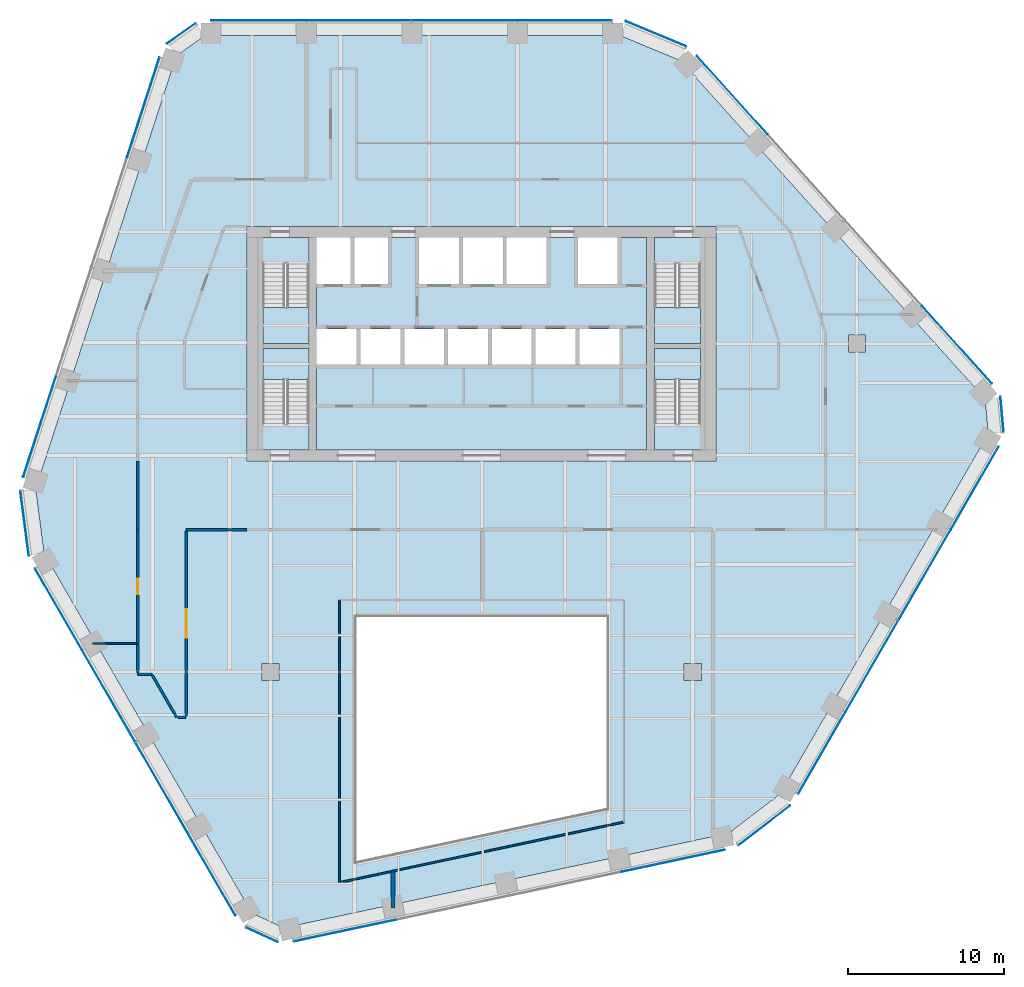
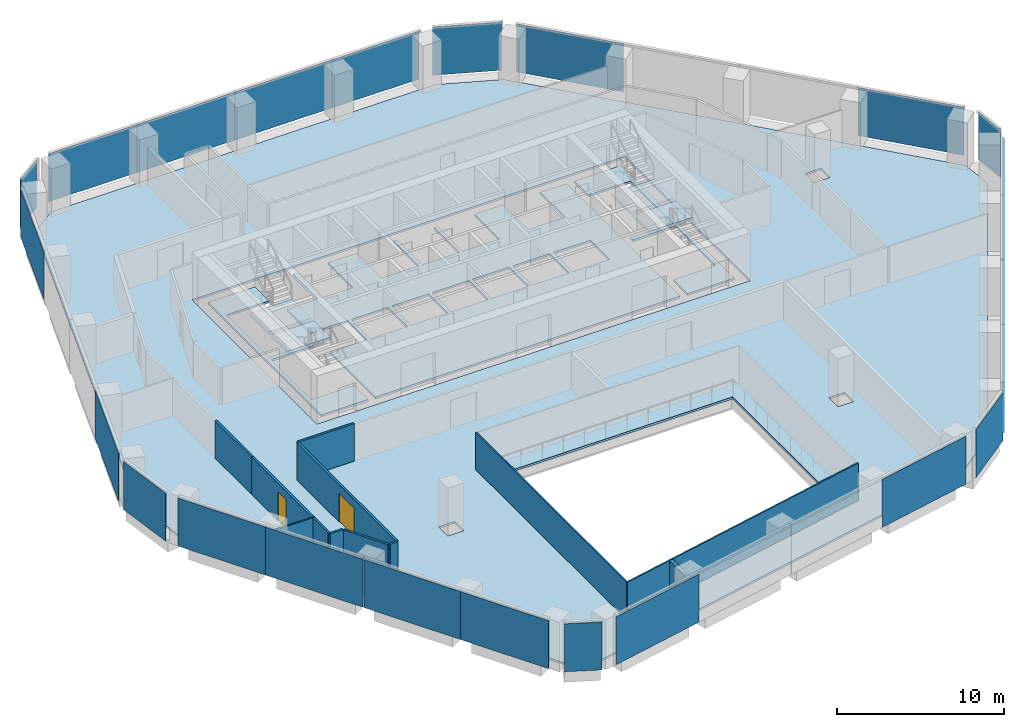
# One storey, part 10 of 16: 24 plates, 12 walls, 8 slabs, 2 doors, 2 openings, 16 elements without a shape of their own.
"""IFC4 building model written with IfcOpenShell, lengths in metres."""

from ifc_helpers import new_model, si_unit, direction, frame, frame_2d, origin, origin_2d, place, context, subcontext, project, spatial, polyline, rectangle, outline, extrude, material, layer, layer_set, type_object, element, fill, aggregate, save


model = new_model("IFC4")

# Units and contexts
model_context = context("Model", 3, precision=1e-05, world=origin(), true_north=direction((0.0, 1.0)))
body_context = subcontext(model_context, "Body", "Model", "MODEL_VIEW")
ifc_project = project(units=[si_unit("LENGTHUNIT", "METRE"), si_unit("AREAUNIT", "SQUARE_METRE"), si_unit("VOLUMEUNIT", "CUBIC_METRE"), si_unit("PLANEANGLEUNIT", "RADIAN"), si_unit("MASSUNIT", "GRAM", prefix="KILO")], contexts=[model_context])

# Site, building, storey
site_placement = place(None, origin())
site = spatial("IfcSite", under=ifc_project, at=site_placement, CompositionType="ELEMENT")
building_placement = place(site_placement, origin())
building = spatial("IfcBuilding", under=site, at=building_placement, Name="Isthmus Gate Tower", CompositionType="ELEMENT")
storey_placement = place(building_placement, frame((0.0, 0.0, 185.39990234375)))
storey = spatial("IfcBuildingStorey", under=building, at=storey_placement, Name="L46", CompositionType="ELEMENT", Elevation=185.39990234375)

# Slabs
ifc_material_1 = material(Name="Concrete f'c 40 MPa", Category="concrete")
ifc_layer_1 = layer(ifc_material_1, 0.14990234375)
ifc_layer_set_1 = layer_set([ifc_layer_1], Name="COMPOSITE FLOOR SLAB 150")
slab_type_1 = type_object("IfcSlabType", Name="COMPOSITE FLOOR SLAB 150", PredefinedType="FLOOR", material=ifc_layer_set_1)
slab_1_placement = place(storey_placement, frame((0.0, 0.0, -0.14990234375)))
element("IfcSlab", 1, at=slab_1_placement, inside=storey, type_object=slab_type_1, Name="str-slab-L46-1", PredefinedType="FLOOR", context=body_context, shape_type="SweptSolid", body=[
    extrude(outline(polyline([(12.72802734375, 25.599365234375), (32.21044921875, 3.9619140625), (32.410400390625, 1.736083984375), (19.116455078125, -21.289306640625), (15.8056640625, -23.822509765625), (-12.674072265625, -29.876220703125), (-14.701416015625, -28.936279296875), (-27.995361328125, -5.91064453125), (-28.53369140625, -1.77685546875), (-19.536376953125, 25.9140625), (-17.708740234375, 27.199951171875), (8.87890625, 27.199951171875), (12.72802734375, 25.599365234375)]), holes=[polyline([(-8.0, -10.0), (-8.0, -25.611083984375), (8.0, -22.210205078125), (8.0, -10.0), (-8.0, -10.0)]), polyline([(-14.050048828125, -12.949951171875), (-14.050048828125, -14.050048828125), (-12.949951171875, -14.050048828125), (-12.949951171875, -12.949951171875), (-14.050048828125, -12.949951171875)]), polyline([(14.050048828125, -12.949951171875), (12.949951171875, -12.949951171875), (12.949951171875, -14.050048828125), (14.050048828125, -14.050048828125), (14.050048828125, -12.949951171875)]), polyline([(-15.0, 15.0), (-15.0, 0.0), (15.0, 0.0), (15.0, 15.0), (-15.0, 15.0)]), polyline([(24.550048828125, 6.949951171875), (24.550048828125, 8.050048828125), (23.449951171875, 8.050048828125), (23.449951171875, 6.949951171875), (24.550048828125, 6.949951171875)])]), origin(), (0.0, 0.0, 1.0), 0.14990234375),
])
ifc_material_2 = material(Name="Concrete f'c 40 MPa", Category="concrete")
ifc_layer_2 = layer(ifc_material_2, 0.14990234375)
ifc_layer_set_2 = layer_set([ifc_layer_2], Name="CORE FLOOR SLAB 150")
slab_type_2 = type_object("IfcSlabType", Name="CORE FLOOR SLAB 150", PredefinedType="FLOOR", material=ifc_layer_set_2)
slab_2_placement = place(storey_placement, frame((0.0, 0.0, -0.14990234375)))
element("IfcSlab", 2, at=slab_2_placement, inside=storey, type_object=slab_type_2, Name="L46 core floor", PredefinedType="FLOOR", context=body_context, shape_type="SweptSolid", body=[
    extrude(outline(polyline([(-11.050048828125, 0.699951171875), (-11.050048828125, 2.402099609375), (-14.0, 2.402099609375), (-14.0, 7.199951171875), (-11.050048828125, 7.199951171875), (-11.050048828125, 7.5), (-14.0, 7.5), (-14.0, 12.597900390625), (-11.050048828125, 12.597900390625), (-11.050048828125, 14.300048828125), (-14.300048828125, 14.300048828125), (-14.300048828125, 0.699951171875), (-11.050048828125, 0.699951171875)])), origin(), (0.0, 0.0, 1.0), 0.14990234375),
])
slab_3_placement = place(storey_placement, frame((0.0, 0.0, -0.14990234375)))
element("IfcSlab", 3, at=slab_3_placement, inside=storey, type_object=slab_type_2, Name="L46 core floor", PredefinedType="FLOOR", context=body_context, shape_type="SweptSolid", body=[
    extrude(outline(polyline([(10.550048828125, 14.300048828125), (8.699951171875, 14.300048828125), (8.699951171875, 11.300048828125), (6.14990234375, 11.300048828125), (6.14990234375, 14.300048828125), (4.14990234375, 14.300048828125), (4.14990234375, 11.300048828125), (1.60009765625, 11.300048828125), (1.60009765625, 14.300048828125), (1.35009765625, 14.300048828125), (1.35009765625, 11.300048828125), (-1.199951171875, 11.300048828125), (-1.199951171875, 14.300048828125), (-1.449951171875, 14.300048828125), (-1.449951171875, 11.300048828125), (-4.0, 11.300048828125), (-4.0, 14.300048828125), (-6.0, 14.300048828125), (-6.0, 11.300048828125), (-8.14990234375, 11.300048828125), (-8.14990234375, 14.300048828125), (-8.39990234375, 14.300048828125), (-8.39990234375, 11.300048828125), (-10.550048828125, 11.300048828125), (-10.550048828125, 8.449951171875), (-8.0, 8.449951171875), (-8.0, 6.14990234375), (-10.550048828125, 6.14990234375), (-10.550048828125, 0.699951171875), (10.550048828125, 0.699951171875), (10.550048828125, 14.300048828125)]), holes=[polyline([(-5.199951171875, 8.449951171875), (-5.199951171875, 6.14990234375), (-7.75, 6.14990234375), (-7.75, 8.449951171875), (-5.199951171875, 8.449951171875)]), polyline([(-2.39990234375, 8.449951171875), (-2.39990234375, 6.14990234375), (-4.949951171875, 6.14990234375), (-4.949951171875, 8.449951171875), (-2.39990234375, 8.449951171875)]), polyline([(0.39990234375, 8.449951171875), (0.39990234375, 6.14990234375), (-2.14990234375, 6.14990234375), (-2.14990234375, 8.449951171875), (0.39990234375, 8.449951171875)]), polyline([(3.199951171875, 8.449951171875), (3.199951171875, 6.14990234375), (0.64990234375, 6.14990234375), (0.64990234375, 8.449951171875), (3.199951171875, 8.449951171875)]), polyline([(6.0, 8.449951171875), (6.0, 6.14990234375), (3.449951171875, 6.14990234375), (3.449951171875, 8.449951171875), (6.0, 8.449951171875)]), polyline([(8.800048828125, 8.449951171875), (8.800048828125, 6.14990234375), (6.25, 6.14990234375), (6.25, 8.449951171875), (8.800048828125, 8.449951171875)])]), origin(), (0.0, 0.0, 1.0), 0.14990234375),
])
slab_4_placement = place(storey_placement, frame((0.0, 0.0, -0.14990234375)))
element("IfcSlab", 4, at=slab_4_placement, inside=storey, type_object=slab_type_2, Name="L46 core floor", PredefinedType="FLOOR", context=body_context, shape_type="SweptSolid", body=[
    extrude(outline(polyline([(11.050048828125, 14.300048828125), (11.050048828125, 12.597900390625), (14.0, 12.597900390625), (14.0, 7.5), (11.050048828125, 7.5), (11.050048828125, 7.199951171875), (14.0, 7.199951171875), (14.0, 2.402099609375), (11.050048828125, 2.402099609375), (11.050048828125, 0.699951171875), (14.300048828125, 0.699951171875), (14.300048828125, 14.300048828125), (11.050048828125, 14.300048828125)])), origin(), (0.0, 0.0, 1.0), 0.14990234375),
])

# Curtain wall, plates
ifc_material_3 = material(Name="Aluminium, pale champagne anodised", Category="aluminium")
ifc_layer_3 = layer(ifc_material_3, 0.199951171875)
ifc_layer_set_3 = layer_set([ifc_layer_3], Name="CW-1 UNITISED CURTAIN WALL 200 DEEP")
curtain_wall_type = type_object("IfcCurtainWallType", Name="CW-1 UNITISED CURTAIN WALL 200 DEEP", PredefinedType="NOTDEFINED", material=ifc_layer_set_3)
curtain_wall_1_placement = place(storey_placement, origin())
curtain_wall_1 = element("IfcCurtainWall", 5, at=curtain_wall_1_placement, inside=storey, type_object=curtain_wall_type, Name="CW-1 N L46", PredefinedType="NOTDEFINED")
ifc_material_4 = material(Name="Laminated low-iron glass, pale blue tint", Category="glass")
ifc_layer_4 = layer(ifc_material_4, 0.035888671875)
ifc_layer_set_4 = layer_set([ifc_layer_4], Name="CW-1 CLEAR GLASS LITE 36")
plate_type = type_object("IfcPlateType", Name="CW-1 CLEAR GLASS LITE 36", PredefinedType="CURTAIN_PANEL", material=ifc_layer_set_4)
plate_1_placement = place(storey_placement, frame((5.30859375, 28.181884765625, 0.0), z_axis=(0.0, 0.0, 1.0), x_axis=(-1.0, 0.0, 0.0)))
plate_1 = element("IfcPlate", 6, at=plate_1_placement, type_object=plate_type, Name="CW-1 glass lite", PredefinedType="CURTAIN_PANEL", context=body_context, shape_type="SweptSolid", body=[
    extrude(rectangle(XDim=6.0400390625, YDim=0.035888671875, at=origin_2d()), origin(), (0.0, 0.0, 1.0), 3.510009765625),
])
plate_2_placement = place(storey_placement, frame((-1.086669921875, 28.181884765625, 0.0), z_axis=(0.0, 0.0, 1.0), x_axis=(-1.0, 0.0, 0.0)))
plate_2 = element("IfcPlate", 7, at=plate_2_placement, type_object=plate_type, Name="CW-1 glass lite", PredefinedType="CURTAIN_PANEL", context=body_context, shape_type="SweptSolid", body=[
    extrude(rectangle(XDim=6.750244140625, YDim=0.035888671875, at=origin_2d()), origin(), (0.0, 0.0, 1.0), 3.510009765625),
])
plate_3_placement = place(storey_placement, frame((-7.86669921875, 28.181884765625, 0.0), z_axis=(0.0, 0.0, 1.0), x_axis=(-1.0, 0.0, 0.0)))
plate_3 = element("IfcPlate", 8, at=plate_3_placement, type_object=plate_type, Name="CW-1 glass lite", PredefinedType="CURTAIN_PANEL", context=body_context, shape_type="SweptSolid", body=[
    extrude(rectangle(XDim=6.690185546875, YDim=0.035888671875, at=origin_2d()), origin(), (0.0, 0.0, 1.0), 3.510009765625),
])
plate_4_placement = place(storey_placement, frame((-14.261962890625, 28.181884765625, 0.0), z_axis=(0.0, 0.0, 1.0), x_axis=(-1.0, 0.0, 0.0)))
plate_4 = element("IfcPlate", 9, at=plate_4_placement, type_object=plate_type, Name="CW-1 glass lite", PredefinedType="CURTAIN_PANEL", context=body_context, shape_type="SweptSolid", body=[
    extrude(rectangle(XDim=6.10009765625, YDim=0.035888671875, at=origin_2d()), origin(), (0.0, 0.0, 1.0), 3.510009765625),
])
aggregate(curtain_wall_1, [plate_1, plate_2, plate_3, plate_4])

# Curtain wall, plate
curtain_wall_2_placement = place(storey_placement, origin())
curtain_wall_2 = element("IfcCurtainWall", 10, at=curtain_wall_2_placement, inside=storey, type_object=curtain_wall_type, Name="CW-1 N-NW L46", PredefinedType="NOTDEFINED")
plate_5_placement = place(storey_placement, frame((-19.2119140625, 27.343017578125, 0.0), z_axis=(0.0, 0.0, 1.0), x_axis=(-0.81785959165, -0.57541783805, 0.0)))
plate_5 = element("IfcPlate", 11, at=plate_5_placement, type_object=plate_type, Name="CW-1 glass lite", PredefinedType="CURTAIN_PANEL", context=body_context, shape_type="SweptSolid", body=[
    extrude(rectangle(XDim=2.258544921875, YDim=0.035888671875, at=origin_2d()), origin(), (0.0, 0.0, 1.0), 3.510009765625),
])
aggregate(curtain_wall_2, [plate_5])

# Curtain wall, plates
curtain_wall_3_placement = place(storey_placement, origin())
curtain_wall_3 = element("IfcCurtainWall", 12, at=curtain_wall_3_placement, inside=storey, type_object=curtain_wall_type, Name="CW-1 NW L46", PredefinedType="NOTDEFINED")
plate_6_placement = place(storey_placement, frame((-21.6396484375, 22.619140625, 0.0), z_axis=(0.0, 0.0, 1.0), x_axis=(-0.309016994375, -0.951056516295, 0.0)))
plate_6 = element("IfcPlate", 13, at=plate_6_placement, type_object=plate_type, Name="CW-1 glass lite", PredefinedType="CURTAIN_PANEL", context=body_context, shape_type="SweptSolid", body=[
    extrude(rectangle(XDim=6.680908203125, YDim=0.035888671875, at=origin_2d()), origin(), (0.0, 0.0, 1.0), 3.510009765625),
])
plate_7_placement = place(storey_placement, frame((-28.281005859375, 2.178466796875, 0.0), z_axis=(0.0, 0.0, 1.0), x_axis=(-0.309016994375, -0.951056516295, 0.0)))
plate_7 = element("IfcPlate", 14, at=plate_7_placement, type_object=plate_type, Name="CW-1 glass lite", PredefinedType="CURTAIN_PANEL", context=body_context, shape_type="SweptSolid", body=[
    extrude(rectangle(XDim=6.74072265625, YDim=0.035888671875, at=origin_2d()), origin(), (0.0, 0.0, 1.0), 3.510009765625),
])
aggregate(curtain_wall_3, [plate_6, plate_7])

# Curtain wall, plate
curtain_wall_4_placement = place(storey_placement, origin())
curtain_wall_4 = element("IfcCurtainWall", 15, at=curtain_wall_4_placement, inside=storey, type_object=curtain_wall_type, Name="CW-1 NW-SW L46", PredefinedType="NOTDEFINED")
plate_8_placement = place(storey_placement, frame((-29.234619140625, -3.9990234375, 0.0), z_axis=(0.0, 0.0, 1.0), x_axis=(0.129164534, -0.991623175988, 0.0)))
plate_8 = element("IfcPlate", 16, at=plate_8_placement, type_object=plate_type, Name="CW-1 glass lite", PredefinedType="CURTAIN_PANEL", context=body_context, shape_type="SweptSolid", body=[
    extrude(rectangle(XDim=4.181396484375, YDim=0.035888671875, at=origin_2d()), origin(), (0.0, 0.0, 1.0), 3.510009765625),
])
aggregate(curtain_wall_4, [plate_8])

# Curtain wall, plates
curtain_wall_5_placement = place(storey_placement, origin())
curtain_wall_5 = element("IfcCurtainWall", 17, at=curtain_wall_5_placement, inside=storey, type_object=curtain_wall_type, Name="CW-1 SW L46", PredefinedType="NOTDEFINED")
plate_9_placement = place(storey_placement, frame((-27.060546875, -9.49365234375, 0.0), z_axis=(0.0, 0.0, 1.0), x_axis=(0.5, -0.866025403784, 0.0)))
plate_9 = element("IfcPlate", 18, at=plate_9_placement, type_object=plate_type, Name="CW-1 glass lite", PredefinedType="CURTAIN_PANEL", context=body_context, shape_type="SweptSolid", body=[
    extrude(rectangle(XDim=6.0400390625, YDim=0.035888671875, at=origin_2d()), origin(), (0.0, 0.0, 1.0), 3.510009765625),
])
plate_10_placement = place(storey_placement, frame((-23.863037109375, -15.031982421875, 0.0), z_axis=(0.0, 0.0, 1.0), x_axis=(0.5, -0.866025403784, 0.0)))
plate_10 = element("IfcPlate", 19, at=plate_10_placement, type_object=plate_type, Name="CW-1 glass lite", PredefinedType="CURTAIN_PANEL", context=body_context, shape_type="SweptSolid", body=[
    extrude(rectangle(XDim=6.750244140625, YDim=0.035888671875, at=origin_2d()), origin(), (0.0, 0.0, 1.0), 3.510009765625),
])
plate_11_placement = place(storey_placement, frame((-20.472900390625, -20.90380859375, 0.0), z_axis=(0.0, 0.0, 1.0), x_axis=(0.5, -0.866025403784, 0.0)))
plate_11 = element("IfcPlate", 20, at=plate_11_placement, type_object=plate_type, Name="CW-1 glass lite", PredefinedType="CURTAIN_PANEL", context=body_context, shape_type="SweptSolid", body=[
    extrude(rectangle(XDim=6.690185546875, YDim=0.035888671875, at=origin_2d()), origin(), (0.0, 0.0, 1.0), 3.510009765625),
])
plate_12_placement = place(storey_placement, frame((-17.275390625, -26.442138671875, 0.0), z_axis=(0.0, 0.0, 1.0), x_axis=(0.5, -0.866025403784, 0.0)))
plate_12 = element("IfcPlate", 21, at=plate_12_placement, type_object=plate_type, Name="CW-1 glass lite", PredefinedType="CURTAIN_PANEL", context=body_context, shape_type="SweptSolid", body=[
    extrude(rectangle(XDim=6.10009765625, YDim=0.035888671875, at=origin_2d()), origin(), (0.0, 0.0, 1.0), 3.510009765625),
])
aggregate(curtain_wall_5, [plate_9, plate_10, plate_11, plate_12])

# Curtain wall, plate
curtain_wall_6_placement = place(storey_placement, origin())
curtain_wall_6 = element("IfcCurtainWall", 22, at=curtain_wall_6_placement, inside=storey, type_object=curtain_wall_type, Name="CW-1 SW-S L46", PredefinedType="NOTDEFINED")
plate_13_placement = place(storey_placement, frame((-14.07373046875, -30.3095703125, 0.0), z_axis=(0.0, 0.0, 1.0), x_axis=(0.907256261367, -0.420578264073, 0.0)))
plate_13 = element("IfcPlate", 23, at=plate_13_placement, type_object=plate_type, Name="CW-1 glass lite", PredefinedType="CURTAIN_PANEL", context=body_context, shape_type="SweptSolid", body=[
    extrude(rectangle(XDim=2.258544921875, YDim=0.035888671875, at=origin_2d()), origin(), (0.0, 0.0, 1.0), 3.510009765625),
])
aggregate(curtain_wall_6, [plate_13])

# Curtain wall, plates
curtain_wall_7_placement = place(storey_placement, origin())
curtain_wall_7 = element("IfcCurtainWall", 24, at=curtain_wall_7_placement, inside=storey, type_object=curtain_wall_type, Name="CW-1 S L46", PredefinedType="NOTDEFINED")
plate_14_placement = place(storey_placement, frame((-8.768798828125, -30.050048828125, 0.0), z_axis=(0.0, 0.0, 1.0), x_axis=(0.978147600734, 0.207911690818, 0.0)))
plate_14 = element("IfcPlate", 25, at=plate_14_placement, type_object=plate_type, Name="CW-1 glass lite", PredefinedType="CURTAIN_PANEL", context=body_context, shape_type="SweptSolid", body=[
    extrude(rectangle(XDim=6.680908203125, YDim=0.035888671875, at=origin_2d()), origin(), (0.0, 0.0, 1.0), 3.510009765625),
])
plate_15_placement = place(storey_placement, frame((12.25390625, -25.58154296875, 0.0), z_axis=(0.0, 0.0, 1.0), x_axis=(0.978147600734, 0.207911690818, 0.0)))
plate_15 = element("IfcPlate", 26, at=plate_15_placement, type_object=plate_type, Name="CW-1 glass lite", PredefinedType="CURTAIN_PANEL", context=body_context, shape_type="SweptSolid", body=[
    extrude(rectangle(XDim=6.74072265625, YDim=0.035888671875, at=origin_2d()), origin(), (0.0, 0.0, 1.0), 3.510009765625),
])
aggregate(curtain_wall_7, [plate_14, plate_15])

# Curtain wall, plate
curtain_wall_8_placement = place(storey_placement, origin())
curtain_wall_8 = element("IfcCurtainWall", 27, at=curtain_wall_8_placement, inside=storey, type_object=curtain_wall_type, Name="CW-1 S-SE L46", PredefinedType="NOTDEFINED")
plate_16_placement = place(storey_placement, frame((18.08056640625, -23.318359375, 0.0), z_axis=(0.0, 0.0, 1.0), x_axis=(0.794188594387, 0.607671355706, 0.0)))
plate_16 = element("IfcPlate", 28, at=plate_16_placement, type_object=plate_type, Name="CW-1 glass lite", PredefinedType="CURTAIN_PANEL", context=body_context, shape_type="SweptSolid", body=[
    extrude(rectangle(XDim=4.181396484375, YDim=0.035888671875, at=origin_2d()), origin(), (0.0, 0.0, 1.0), 3.510009765625),
])
aggregate(curtain_wall_8, [plate_16])

# Curtain wall, plates
curtain_wall_9_placement = place(storey_placement, origin())
curtain_wall_9 = element("IfcCurtainWall", 29, at=curtain_wall_9_placement, inside=storey, type_object=curtain_wall_type, Name="CW-1 SE L46", PredefinedType="NOTDEFINED")
plate_17_placement = place(storey_placement, frame((21.752197265625, -18.688232421875, 0.0), z_axis=(0.0, 0.0, 1.0), x_axis=(0.5, 0.866025403784, 0.0)))
plate_17 = element("IfcPlate", 30, at=plate_17_placement, type_object=plate_type, Name="CW-1 glass lite", PredefinedType="CURTAIN_PANEL", context=body_context, shape_type="SweptSolid", body=[
    extrude(rectangle(XDim=6.0400390625, YDim=0.035888671875, at=origin_2d()), origin(), (0.0, 0.0, 1.0), 3.510009765625),
])
plate_18_placement = place(storey_placement, frame((24.94970703125, -13.14990234375, 0.0), z_axis=(0.0, 0.0, 1.0), x_axis=(0.5, 0.866025403784, 0.0)))
plate_18 = element("IfcPlate", 31, at=plate_18_placement, type_object=plate_type, Name="CW-1 glass lite", PredefinedType="CURTAIN_PANEL", context=body_context, shape_type="SweptSolid", body=[
    extrude(rectangle(XDim=6.750244140625, YDim=0.035888671875, at=origin_2d()), origin(), (0.0, 0.0, 1.0), 3.510009765625),
])
plate_19_placement = place(storey_placement, frame((28.339599609375, -7.278076171875, 0.0), z_axis=(0.0, 0.0, 1.0), x_axis=(0.5, 0.866025403784, 0.0)))
plate_19 = element("IfcPlate", 32, at=plate_19_placement, type_object=plate_type, Name="CW-1 glass lite", PredefinedType="CURTAIN_PANEL", context=body_context, shape_type="SweptSolid", body=[
    extrude(rectangle(XDim=6.690185546875, YDim=0.035888671875, at=origin_2d()), origin(), (0.0, 0.0, 1.0), 3.510009765625),
])
plate_20_placement = place(storey_placement, frame((31.537353515625, -1.73974609375, 0.0), z_axis=(0.0, 0.0, 1.0), x_axis=(0.5, 0.866025403784, 0.0)))
plate_20 = element("IfcPlate", 33, at=plate_20_placement, type_object=plate_type, Name="CW-1 glass lite", PredefinedType="CURTAIN_PANEL", context=body_context, shape_type="SweptSolid", body=[
    extrude(rectangle(XDim=6.10009765625, YDim=0.035888671875, at=origin_2d()), origin(), (0.0, 0.0, 1.0), 3.510009765625),
])
aggregate(curtain_wall_9, [plate_17, plate_18, plate_19, plate_20])

# Curtain wall, plate
curtain_wall_10_placement = place(storey_placement, origin())
curtain_wall_10 = element("IfcCurtainWall", 34, at=curtain_wall_10_placement, inside=storey, type_object=curtain_wall_type, Name="CW-1 SE-NE L46", PredefinedType="NOTDEFINED")
plate_21_placement = place(storey_placement, frame((33.285888671875, 2.966552734375, 0.0), z_axis=(0.0, 0.0, 1.0), x_axis=(-0.089396669717, 0.995996102123, 0.0)))
plate_21 = element("IfcPlate", 35, at=plate_21_placement, type_object=plate_type, Name="CW-1 glass lite", PredefinedType="CURTAIN_PANEL", context=body_context, shape_type="SweptSolid", body=[
    extrude(rectangle(XDim=2.258544921875, YDim=0.035888671875, at=origin_2d()), origin(), (0.0, 0.0, 1.0), 3.510009765625),
])
aggregate(curtain_wall_10, [plate_21])

# Curtain wall, plates
curtain_wall_11_placement = place(storey_placement, origin())
curtain_wall_11 = element("IfcCurtainWall", 36, at=curtain_wall_11_placement, inside=storey, type_object=curtain_wall_type, Name="CW-1 NE L46", PredefinedType="NOTDEFINED")
plate_22_placement = place(storey_placement, frame((30.408447265625, 7.430908203125, 0.0), z_axis=(0.0, 0.0, 1.0), x_axis=(-0.669130606359, 0.743144825477, 0.0)))
plate_22 = element("IfcPlate", 37, at=plate_22_placement, type_object=plate_type, Name="CW-1 glass lite", PredefinedType="CURTAIN_PANEL", context=body_context, shape_type="SweptSolid", body=[
    extrude(rectangle(XDim=6.680908203125, YDim=0.035888671875, at=origin_2d()), origin(), (0.0, 0.0, 1.0), 3.510009765625),
])
plate_23_placement = place(storey_placement, frame((16.02734375, 23.40283203125, 0.0), z_axis=(0.0, 0.0, 1.0), x_axis=(-0.669130606359, 0.743144825477, 0.0)))
plate_23 = element("IfcPlate", 38, at=plate_23_placement, type_object=plate_type, Name="CW-1 glass lite", PredefinedType="CURTAIN_PANEL", context=body_context, shape_type="SweptSolid", body=[
    extrude(rectangle(XDim=6.74072265625, YDim=0.035888671875, at=origin_2d()), origin(), (0.0, 0.0, 1.0), 3.510009765625),
])
aggregate(curtain_wall_11, [plate_22, plate_23])

# Curtain wall, plate
curtain_wall_12_placement = place(storey_placement, origin())
curtain_wall_12 = element("IfcCurtainWall", 39, at=curtain_wall_12_placement, inside=storey, type_object=curtain_wall_type, Name="CW-1 NE-N L46", PredefinedType="NOTDEFINED")
plate_24_placement = place(storey_placement, frame((11.154052734375, 27.3173828125, 0.0), z_axis=(0.0, 0.0, 1.0), x_axis=(-0.923353128387, 0.383951820282, 0.0)))
plate_24 = element("IfcPlate", 40, at=plate_24_placement, type_object=plate_type, Name="CW-1 glass lite", PredefinedType="CURTAIN_PANEL", context=body_context, shape_type="SweptSolid", body=[
    extrude(rectangle(XDim=4.181396484375, YDim=0.035888671875, at=origin_2d()), origin(), (0.0, 0.0, 1.0), 3.510009765625),
])
aggregate(curtain_wall_12, [plate_24])

# Stair, slab
ifc_material_5 = material(Name="Concrete f'c 40 MPa", Category="concrete")
stair_type = type_object("IfcStairType", Name="CORE STAIR 22 RISERS", PredefinedType="HALF_TURN_STAIR", material=ifc_material_5)
stair_1_placement = place(storey_placement, origin())
stair_1 = element("IfcStair", 41, at=stair_1_placement, inside=storey, type_object=stair_type, Name="L46 Exit Stair 1", PredefinedType="HALF_TURN_STAIR")
ifc_material_6 = material(Name="Concrete f'c 40 MPa", Category="concrete")
ifc_layer_5 = layer(ifc_material_6, 0.199951171875)
ifc_layer_set_5 = layer_set([ifc_layer_5])
slab_type_3 = type_object("IfcSlabType", Name="STAIR LANDING RC 200", PredefinedType="LANDING", material=ifc_layer_set_5)
slab_5_placement = place(storey_placement, frame((0.0, 0.0, 1.625)))
slab_5 = element("IfcSlab", 42, at=slab_5_placement, type_object=slab_type_3, Name="ST1 landing 1", PredefinedType="LANDING", context=body_context, shape_type="SweptSolid", body=[
    extrude(outline(polyline([(-14.0, 9.800048828125), (-14.0, 7.5), (-11.050048828125, 7.5), (-11.050048828125, 9.800048828125), (-14.0, 9.800048828125)])), origin(), (0.0, 0.0, 1.0), 0.2001953125),
])
aggregate(stair_1, [slab_5])

stair_2_placement = place(storey_placement, origin())
stair_2 = element("IfcStair", 43, at=stair_2_placement, inside=storey, type_object=stair_type, Name="L46 Exit Stair 2", PredefinedType="HALF_TURN_STAIR")
slab_6_placement = place(storey_placement, frame((0.0, 0.0, 1.625)))
slab_6 = element("IfcSlab", 44, at=slab_6_placement, type_object=slab_type_3, Name="ST2 landing 1", PredefinedType="LANDING", context=body_context, shape_type="SweptSolid", body=[
    extrude(outline(polyline([(11.050048828125, 9.800048828125), (11.050048828125, 7.5), (14.0, 7.5), (14.0, 9.800048828125), (11.050048828125, 9.800048828125)])), origin(), (0.0, 0.0, 1.0), 0.2001953125),
])
aggregate(stair_2, [slab_6])

stair_3_placement = place(storey_placement, origin())
stair_3 = element("IfcStair", 45, at=stair_3_placement, inside=storey, type_object=stair_type, Name="L46 Exit Stair 7", PredefinedType="HALF_TURN_STAIR")
slab_7_placement = place(storey_placement, frame((0.0, 0.0, 1.625)))
slab_7 = element("IfcSlab", 46, at=slab_7_placement, type_object=slab_type_3, Name="ST7 landing 1", PredefinedType="LANDING", context=body_context, shape_type="SweptSolid", body=[
    extrude(outline(polyline([(-11.050048828125, 5.199951171875), (-11.050048828125, 7.199951171875), (-14.0, 7.199951171875), (-14.0, 5.199951171875), (-11.050048828125, 5.199951171875)])), origin(), (0.0, 0.0, 1.0), 0.2001953125),
])
aggregate(stair_3, [slab_7])

stair_4_placement = place(storey_placement, origin())
stair_4 = element("IfcStair", 47, at=stair_4_placement, inside=storey, type_object=stair_type, Name="L46 Exit Stair 8", PredefinedType="HALF_TURN_STAIR")
slab_8_placement = place(storey_placement, frame((0.0, 0.0, 1.625)))
slab_8 = element("IfcSlab", 48, at=slab_8_placement, type_object=slab_type_3, Name="ST8 landing 1", PredefinedType="LANDING", context=body_context, shape_type="SweptSolid", body=[
    extrude(outline(polyline([(14.0, 5.199951171875), (14.0, 7.199951171875), (11.050048828125, 7.199951171875), (11.050048828125, 5.199951171875), (14.0, 5.199951171875)])), origin(), (0.0, 0.0, 1.0), 0.2001953125),
])
aggregate(stair_4, [slab_8])

# Walls
ifc_material_7 = material(Name="Double-leaf acoustic stud wall, fire-rated", Category="gypsum")
ifc_layer_6 = layer(ifc_material_7, 0.25)
ifc_layer_set_6 = layer_set([ifc_layer_6], Name="ACOUSTIC WALL 250 60 MIN")
wall_type_1 = type_object("IfcWallType", Name="ACOUSTIC WALL 250 60 MIN", PredefinedType="PARTITIONING", material=ifc_layer_set_6)
wall_1_placement = place(storey_placement, frame((-5.674072265625, -28.593017578125, 0.0), z_axis=(0.0, 0.0, 1.0), x_axis=(0.0, 1.0, 0.0)))
element("IfcWall", 49, at=wall_1_placement, inside=storey, type_object=wall_type_1, Name="L46 Acoustic Wall 250 60 Min", PredefinedType="PARTITIONING", context=body_context, shape_type="SweptSolid", body=[
    extrude(rectangle(XDim=2.301025390625, YDim=0.25, at=frame_2d((1.150390625, 0.0))), origin(), (0.0, 0.0, 1.0), 2.7412109375),
])
ifc_material_8 = material(Name="Fire-rated laminated glass in steel frame", Category="steel")
ifc_layer_7 = layer(ifc_material_8, 0.10009765625)
ifc_layer_set_7 = layer_set([ifc_layer_7], Name="ATRIUM SCREEN GLAZED WALL 100 120 MIN")
wall_type_2 = type_object("IfcWallType", Name="ATRIUM SCREEN GLAZED WALL 100 120 MIN", PredefinedType="PARTITIONING", material=ifc_layer_set_7)
wall_2_placement = place(storey_placement, frame((9.10009765625, -23.100830078125, 0.0), z_axis=(0.0, 0.0, 1.0), x_axis=(-0.978146710971, -0.207915876778, 0.0)))
element("IfcWall", 50, at=wall_2_placement, inside=storey, type_object=wall_type_2, Name="L46 atrium screen", PredefinedType="PARTITIONING", context=body_context, shape_type="SweptSolid", body=[
    extrude(rectangle(XDim=18.60693359375, YDim=0.10009765625, at=frame_2d((9.303466796875, 0.0))), origin(), (0.0, 0.0, 1.0), 2.7412109375),
])
wall_3_placement = place(storey_placement, frame((-9.10009765625, -26.969482421875, 0.0), z_axis=(0.0, 0.0, 1.0), x_axis=(0.0, 1.0, 0.0)))
element("IfcWall", 51, at=wall_3_placement, inside=storey, type_object=wall_type_2, Name="L46 atrium screen", PredefinedType="PARTITIONING", context=body_context, shape_type="SweptSolid", body=[
    extrude(rectangle(XDim=18.069580078125, YDim=0.10009765625, at=frame_2d((9.03466796875, 0.0))), origin(), (0.0, 0.0, 1.0), 2.7412109375),
])
ifc_material_9 = material(Name="Gypsum board on steel studs, fire-rated", Category="steel")
ifc_layer_8 = layer(ifc_material_9, 0.14990234375)
ifc_layer_set_8 = layer_set([ifc_layer_8], Name="CORRIDOR WALL 150 60 MIN")
wall_type_3 = type_object("IfcWallType", Name="CORRIDOR WALL 150 60 MIN", PredefinedType="PARTITIONING", material=ifc_layer_set_8)
wall_4_placement = place(storey_placement, frame((-15.0, -4.39990234375, 0.0), z_axis=(0.0, 0.0, 1.0), x_axis=(-1.0, 0.0, 0.0)))
element("IfcWall", 52, at=wall_4_placement, inside=storey, type_object=wall_type_3, Name="L46 Corridor Wall 150 60 Min", PredefinedType="PARTITIONING", context=body_context, shape_type="SweptSolid", body=[
    extrude(rectangle(XDim=3.89990234375, YDim=0.14990234375, at=frame_2d((1.949951171875, 0.0))), origin(), (0.0, 0.0, 1.0), 2.7412109375),
])

# Wall, opening, door
wall_5_placement = place(storey_placement, frame((-22.0, -11.693115234375, 0.0), z_axis=(0.0, 0.0, 1.0), x_axis=(-0.000267728647, 0.999999964161, 0.0)))
wall_5 = element("IfcWall", 53, at=wall_5_placement, inside=storey, type_object=wall_type_3, Name="L46 Corridor Wall 150 60 Min", PredefinedType="PARTITIONING", context=body_context, shape_type="SweptSolid", body=[
    extrude(rectangle(XDim=7.295166015625, YDim=0.14990234375, at=frame_2d((3.6474609375, 0.0))), origin(), (0.0, 0.0, 1.0), 2.7412109375),
])
opening_1_placement = place(wall_5_placement, frame((3.1474609375, 0.0, 0.0)))
opening_1 = element("IfcOpeningElement", 54, at=opening_1_placement, cuts=wall_5, Name="Opening DT-T4B-07", PredefinedType="OPENING", context=body_context, shape_type="SweptSolid", body=[
    extrude(rectangle(XDim=1.0, YDim=2.10009765625, at=frame_2d((0.5, 1.050048828125))), frame((0.0, 0.0849609375, 0.0), z_axis=(0.0, -1.0, 0.0), x_axis=(1.0, 0.0, 0.0)), (0.0, 0.0, 1.0), 0.169921875),
])
ifc_material_10 = material(Name="Solid core timber door leaf, fire-rated", Category="wood")
door_type_1 = type_object("IfcDoorType", Name="FIRE DOOR ROOM 1000 X 2100 60 MIN", OperationType="SINGLE_SWING_LEFT", PredefinedType="DOOR", material=ifc_material_10)
door_1_placement = place(opening_1_placement, origin())
door_1 = element("IfcDoor", 55, at=door_1_placement, inside=storey, type_object=door_type_1, Name="L46 room door", OperationType="SINGLE_SWING_RIGHT", OverallHeight=2.10009765625, OverallWidth=1.0, PredefinedType="DOOR", context=body_context, shape_type="SweptSolid", body=[
    extrude(rectangle(XDim=1.0, YDim=2.10009765625, at=frame_2d((0.5, 1.050048828125))), frame((0.0, 0.02490234375, 0.0), z_axis=(0.0, -1.0, 0.0), x_axis=(1.0, 0.0, 0.0)), (0.0, 0.0, 1.0), 0.050048828125),
])
fill(opening_1, door_1)

# Walls
wall_6_placement = place(storey_placement, frame((-21.10009765625, -13.654052734375, 0.0), z_axis=(0.0, 0.0, 1.0), x_axis=(-1.0, 0.0, 0.0)))
element("IfcWall", 56, at=wall_6_placement, inside=storey, type_object=wall_type_3, Name="L46 Corridor Wall 150 60 Min", PredefinedType="PARTITIONING", context=body_context, shape_type="SweptSolid", body=[
    extrude(rectangle(XDim=0.89990234375, YDim=0.14990234375, at=frame_2d((0.449951171875, 0.0))), origin(), (0.0, 0.0, 1.0), 2.7412109375),
])
wall_7_placement = place(storey_placement, frame((-19.513916015625, -16.39990234375, 0.0), z_axis=(0.0, 0.0, 1.0), x_axis=(-0.500184316454, 0.865918962475, 0.0)))
element("IfcWall", 57, at=wall_7_placement, inside=storey, type_object=wall_type_3, Name="L46 Corridor Wall 150 60 Min", PredefinedType="PARTITIONING", context=body_context, shape_type="SweptSolid", body=[
    extrude(rectangle(XDim=3.095947265625, YDim=0.14990234375, at=frame_2d((1.5478515625, 0.0))), origin(), (0.0, 0.0, 1.0), 2.7412109375),
])
wall_8_placement = place(storey_placement, frame((-18.89990234375, -16.39990234375, 0.0), z_axis=(0.0, 0.0, 1.0), x_axis=(-1.0, 0.0, 0.0)))
element("IfcWall", 58, at=wall_8_placement, inside=storey, type_object=wall_type_3, Name="L46 Corridor Wall 150 60 Min", PredefinedType="PARTITIONING", context=body_context, shape_type="SweptSolid", body=[
    extrude(rectangle(XDim=0.5390625, YDim=0.14990234375, at=frame_2d((0.26953125, 0.0))), origin(), (0.0, 0.0, 1.0), 2.7412109375),
])

# Wall, opening, door
wall_9_placement = place(storey_placement, frame((-18.89990234375, -4.47509765625, 0.0), z_axis=(0.0, 0.0, 1.0), x_axis=(0.0, -1.0, 0.0)))
wall_9 = element("IfcWall", 59, at=wall_9_placement, inside=storey, type_object=wall_type_3, Name="L46 Corridor Wall 150 60 Min", PredefinedType="PARTITIONING", context=body_context, shape_type="SweptSolid", body=[
    extrude(rectangle(XDim=11.849853515625, YDim=0.14990234375, at=frame_2d((5.9248046875, 0.0))), origin(), (0.0, 0.0, 1.0), 2.7412109375),
])
opening_2_placement = place(wall_9_placement, frame((5.02490234375, 0.0, 0.0)))
opening_2 = element("IfcOpeningElement", 60, at=opening_2_placement, cuts=wall_9, Name="Opening DT-T4B-11", PredefinedType="OPENING", context=body_context, shape_type="SweptSolid", body=[
    extrude(rectangle(XDim=1.800048828125, YDim=2.10009765625, at=frame_2d((0.89990234375, 1.050048828125))), frame((0.0, 0.0849609375, 0.0), z_axis=(0.0, -1.0, 0.0), x_axis=(1.0, 0.0, 0.0)), (0.0, 0.0, 1.0), 0.169921875),
])
ifc_material_11 = material(Name="Solid core timber door leaf, fire-rated", Category="wood")
door_type_2 = type_object("IfcDoorType", Name="FIRE DOOR ROOM 1800 X 2100 60 MIN", OperationType="DOUBLE_DOOR_DOUBLE_SWING", PredefinedType="DOOR", material=ifc_material_11)
door_2_placement = place(opening_2_placement, origin())
door_2 = element("IfcDoor", 61, at=door_2_placement, inside=storey, type_object=door_type_2, Name="L46 room door", OperationType="DOUBLE_DOOR_DOUBLE_SWING", OverallHeight=2.10009765625, OverallWidth=1.800048828125, PredefinedType="DOOR", context=body_context, shape_type="SweptSolid", body=[
    extrude(rectangle(XDim=1.800048828125, YDim=2.10009765625, at=frame_2d((0.89990234375, 1.050048828125))), frame((0.0, 0.02490234375, 0.0), z_axis=(0.0, -1.0, 0.0), x_axis=(1.0, 0.0, 0.0)), (0.0, 0.0, 1.0), 0.050048828125),
])
fill(opening_2, door_2)

# Walls
wall_10_placement = place(storey_placement, frame((-22.0, -4.39794921875, 0.0), z_axis=(0.0, 0.0, 1.0), x_axis=(0.0, 1.0, 0.0)))
element("IfcWall", 62, at=wall_10_placement, inside=storey, type_object=wall_type_3, Name="L46 Corridor Wall 150 60 Min", PredefinedType="PARTITIONING", context=body_context, shape_type="SweptSolid", body=[
    extrude(rectangle(XDim=4.39794921875, YDim=0.14990234375, at=frame_2d((2.198974609375, 0.0))), origin(), (0.0, 0.0, 1.0), 2.7412109375),
])
wall_11_placement = place(storey_placement, frame((-22.0, -13.5791015625, 0.0), z_axis=(0.0, 0.0, 1.0), x_axis=(0.0, 1.0, 0.0)))
element("IfcWall", 63, at=wall_11_placement, inside=storey, type_object=wall_type_3, Name="L46 Corridor Wall 150 60 Min", PredefinedType="PARTITIONING", context=body_context, shape_type="SweptSolid", body=[
    extrude(rectangle(XDim=1.836181640625, YDim=0.14990234375, at=frame_2d((0.91796875, 0.0))), origin(), (0.0, 0.0, 1.0), 2.7412109375),
])
ifc_material_12 = material(Name="Gypsum board on steel studs, fire-rated", Category="steel")
ifc_layer_9 = layer(ifc_material_12, 0.10009765625)
ifc_layer_set_9 = layer_set([ifc_layer_9], Name="ROOM PARTITION 100 30 MIN")
wall_type_4 = type_object("IfcWallType", Name="ROOM PARTITION 100 30 MIN", PredefinedType="PARTITIONING", material=ifc_layer_set_9)
wall_12_placement = place(storey_placement, frame((-24.887939453125, -11.693115234375, 0.0), z_axis=(0.0, 0.0, 1.0), x_axis=(1.0, 0.0, 0.0)))
element("IfcWall", 64, at=wall_12_placement, inside=storey, type_object=wall_type_4, Name="L46 Room Partition 100 30 Min", PredefinedType="PARTITIONING", context=body_context, shape_type="SweptSolid", body=[
    extrude(rectangle(XDim=2.81298828125, YDim=0.10009765625, at=frame_2d((1.406494140625, 0.0))), origin(), (0.0, 0.0, 1.0), 2.7412109375),
])

save(model, "model.ifc")
